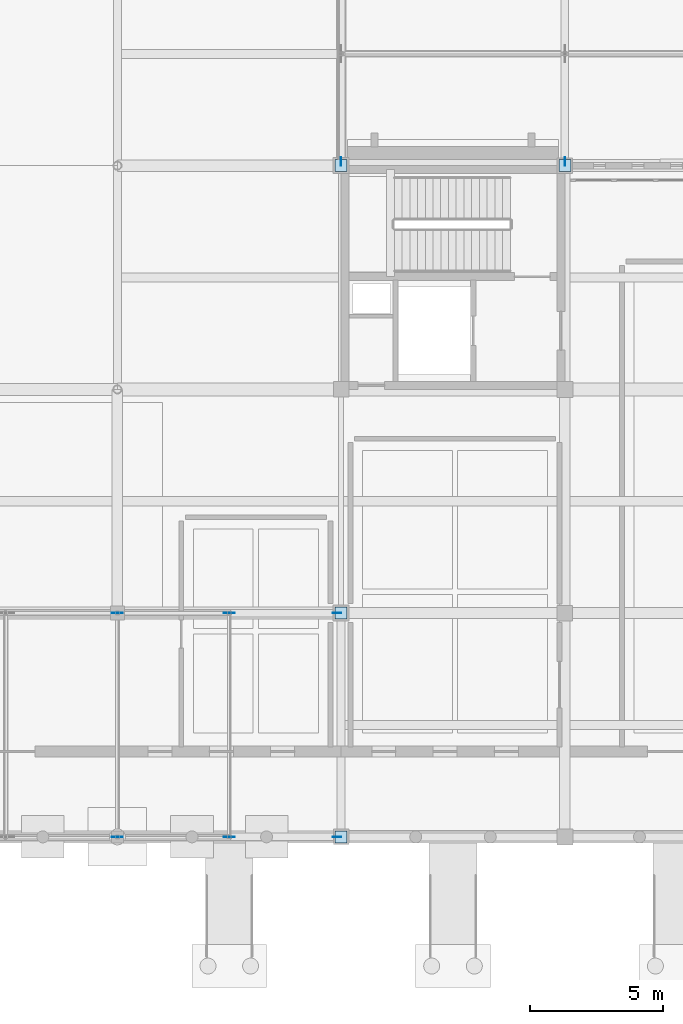
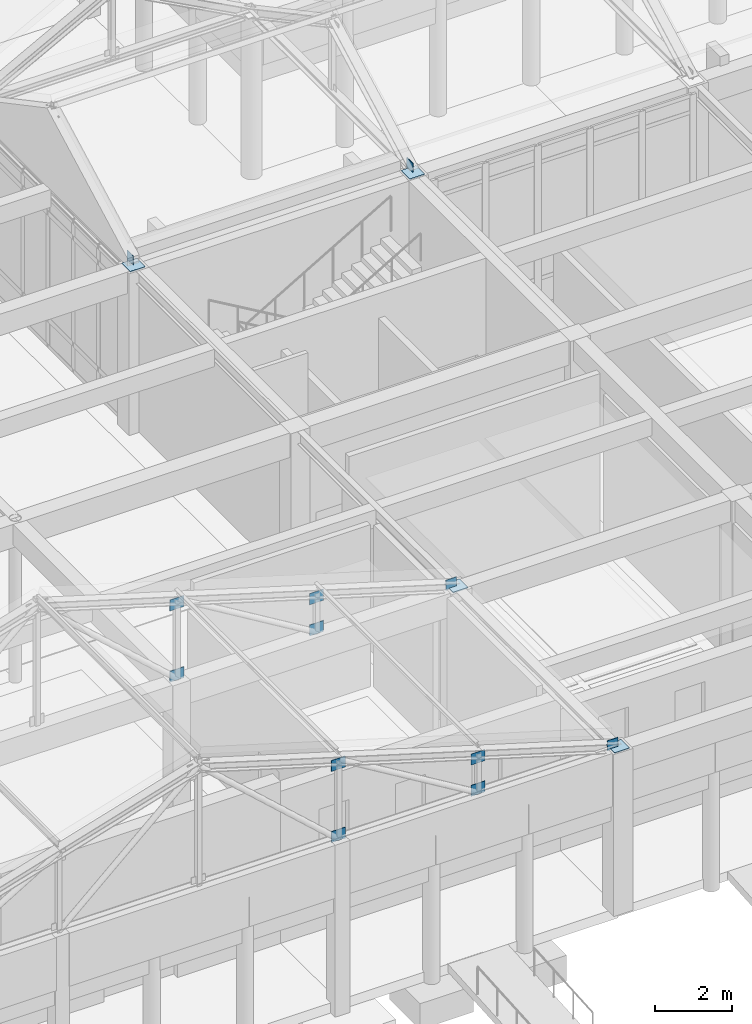
# One storey, part 88 of 143: 16 plates.
"""IFC4 building model written with IfcOpenShell, lengths in metres."""

from ifc_helpers import new_model, si_unit, direction, frame, origin, origin_2d, place, context, subcontext, project, spatial, rectangle, extrude, material, layer, layer_set, type_object, element, save


model = new_model("IFC4")

# Units and contexts
model_context = context("Model", 3, precision=1e-05, world=origin(), true_north=direction((0.0, 1.0)))
body_context = subcontext(model_context, "Body", "Model", "MODEL_VIEW")
ifc_project = project(units=[si_unit("LENGTHUNIT", "METRE"), si_unit("AREAUNIT", "SQUARE_METRE"), si_unit("VOLUMEUNIT", "CUBIC_METRE"), si_unit("PLANEANGLEUNIT", "RADIAN"), si_unit("MASSUNIT", "GRAM", prefix="KILO")], contexts=[model_context])

# Site, building, storey
site_placement = place(None, origin())
site = spatial("IfcSite", under=ifc_project, at=site_placement, CompositionType="ELEMENT")
building_placement = place(site_placement, origin())
building = spatial("IfcBuilding", under=site, at=building_placement, Name="Kveldsbrygga Polytechnic", CompositionType="ELEMENT")
storey_placement = place(building_placement, origin())
storey = spatial("IfcBuildingStorey", under=building, at=storey_placement, Name="L00", CompositionType="ELEMENT", Elevation=0.0)

# Plates
ifc_material = material(Name="Steel S355", Category="steel")
ifc_layer_1 = layer(ifc_material, 0.030029296875)
ifc_layer_set_1 = layer_set([ifc_layer_1], Name="Steel S355")
plate_type_1 = type_object("IfcPlateType", Name="CAP-BEAR-450", PredefinedType="SHEET", material=ifc_layer_set_1)
for number, where, z_axis, x_axis, name in (
    (1, (75.60009765625, 0.0, 5.10986328125), (0.0, 0.0, 1.0), (1.0, 0.0, 0.0), "Truss Bearing Plate V5P-T01-B"),
    (2, (75.60009765625, 8.39990234375, 5.10986328125), (0.0, 0.0, 1.0), (1.0, 0.0, 0.0), "Truss Bearing Plate V5P-T02-B"),
    (3, (75.60009765625, 25.199951171875, 5.10986328125), (0.0, 0.0, 1.0), (1.0, 0.0, 0.0), "Truss Bearing Plate ARC-ES-T01-A"),
    (4, (84.0, 25.199951171875, 5.10986328125), (0.0, 0.0, 1.0), (1.0, 0.0, 0.0), "Truss Bearing Plate ARC-ES-T02-A"),
):
    element("IfcPlate", number, at=place(storey_placement, frame(where, z_axis=z_axis, x_axis=x_axis)), inside=storey, type_object=plate_type_1, Name=name, PredefinedType="SHEET", context=body_context, shape_type="SweptSolid", body=[
        extrude(rectangle(XDim=0.449951171875, YDim=0.449951171875, at=origin_2d()), origin(), (0.0, 0.0, 1.0), 0.030029296875),
    ])
ifc_layer_2 = layer(ifc_material, 0.01806640625)
ifc_layer_set_2 = layer_set([ifc_layer_2], Name="Steel S355")
plate_type_2 = type_object("IfcPlateType", Name="GUS-BRACE-320", PredefinedType="SHEET", material=ifc_layer_set_2)
for number, where, z_axis, x_axis, name in (
    (5, (75.43994140625, 0.0, 5.10009765625), (0.0, 0.0, 1.0), (1.0, 0.0, 0.0), "Truss Eaves Node Gusset V5P-T01-EGP-B"),
    (6, (75.43994140625, 8.39990234375, 5.10009765625), (0.0, 0.0, 1.0), (1.0, 0.0, 0.0), "Truss Eaves Node Gusset V5P-T02-EGP-B"),
):
    element("IfcPlate", number, at=place(storey_placement, frame(where, z_axis=z_axis, x_axis=x_axis)), inside=storey, type_object=plate_type_2, Name=name, PredefinedType="SHEET", context=body_context, shape_type="SweptSolid", body=[
        extrude(rectangle(XDim=0.320068359375, YDim=0.01806640625, at=origin_2d()), origin(), (0.0, 0.0, 1.0), 0.320068359375),
    ])
for number, where, z_axis, x_axis, name in (
    (7, (75.60009765625, 25.360107421875, 5.10009765625), (0.0, 0.0, 1.0), (1.0, 0.0, 0.0), "Truss Eaves Node Gusset ARC-ES-T01-EGP-A"),
    (8, (84.0, 25.360107421875, 5.10009765625), (0.0, 0.0, 1.0), (1.0, 0.0, 0.0), "Truss Eaves Node Gusset ARC-ES-T02-EGP-A"),
):
    element("IfcPlate", number, at=place(storey_placement, frame(where, z_axis=z_axis, x_axis=x_axis)), inside=storey, type_object=plate_type_2, Name=name, PredefinedType="SHEET", context=body_context, shape_type="SweptSolid", body=[
        extrude(rectangle(XDim=0.01806640625, YDim=0.320068359375, at=origin_2d()), origin(), (0.0, 0.0, 1.0), 0.320068359375),
    ])
ifc_layer_3 = layer(ifc_material, 0.02001953125)
ifc_layer_set_3 = layer_set([ifc_layer_3], Name="Steel S355")
plate_type_3 = type_object("IfcPlateType", Name="GUS-LECT-420", PredefinedType="SHEET", material=ifc_layer_set_3)
for number, where, z_axis, x_axis, name in (
    (9, (67.199951171875, 0.0, 7.348388671875), (0.0, 0.0, 1.0), (1.0, 0.0, 0.0), "Truss Gusset Plate V5P-T01-GP-4"),
    (10, (67.199951171875, 0.0, 5.0849609375), (0.0, 0.0, 1.0), (1.0, 0.0, 0.0), "Truss Bottom-Chord Node Gusset V5P-T01-BGP-4"),
    (11, (71.39990234375, 0.0, 6.08154296875), (0.0, 0.0, 1.0), (1.0, 0.0, 0.0), "Truss Gusset Plate V5P-T01-GP-5"),
    (12, (71.39990234375, 0.0, 5.0849609375), (0.0, 0.0, 1.0), (1.0, 0.0, 0.0), "Truss Bottom-Chord Node Gusset V5P-T01-BGP-5"),
    (13, (67.199951171875, 8.39990234375, 7.348388671875), (0.0, 0.0, 1.0), (1.0, 0.0, 0.0), "Truss Gusset Plate V5P-T02-GP-4"),
    (14, (67.199951171875, 8.39990234375, 5.0849609375), (0.0, 0.0, 1.0), (1.0, 0.0, 0.0), "Truss Bottom-Chord Node Gusset V5P-T02-BGP-4"),
    (15, (71.39990234375, 8.39990234375, 6.08154296875), (0.0, 0.0, 1.0), (1.0, 0.0, 0.0), "Truss Gusset Plate V5P-T02-GP-5"),
    (16, (71.39990234375, 8.39990234375, 5.0849609375), (0.0, 0.0, 1.0), (1.0, 0.0, 0.0), "Truss Bottom-Chord Node Gusset V5P-T02-BGP-5"),
):
    element("IfcPlate", number, at=place(storey_placement, frame(where, z_axis=z_axis, x_axis=x_axis)), inside=storey, type_object=plate_type_3, Name=name, PredefinedType="SHEET", context=body_context, shape_type="SweptSolid", body=[
        extrude(rectangle(XDim=0.419921875, YDim=0.02001953125, at=origin_2d()), origin(), (0.0, 0.0, 1.0), 0.35009765625),
    ])

save(model, "model.ifc")
